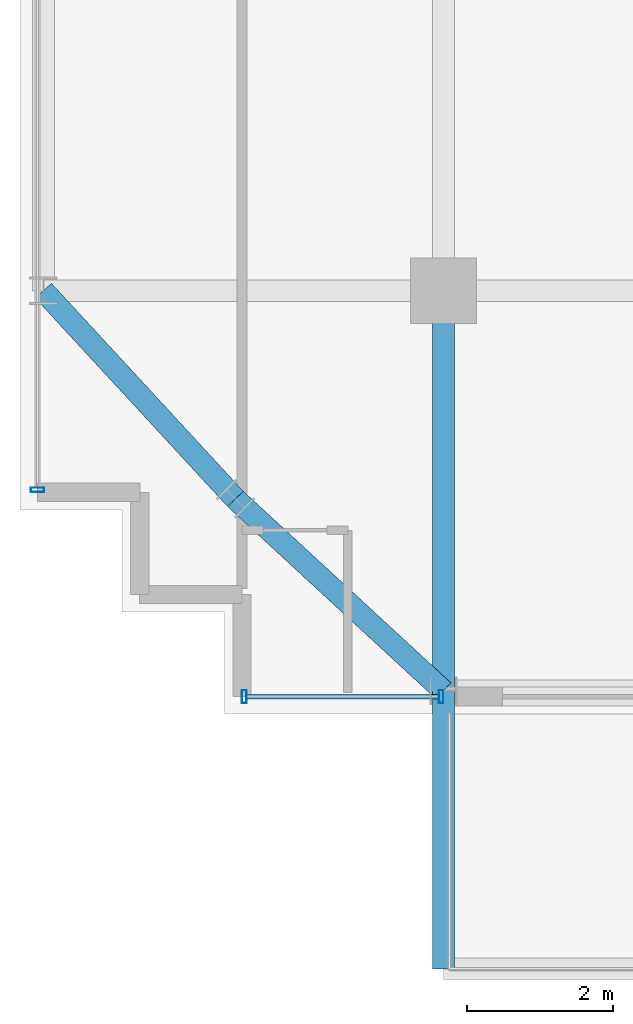
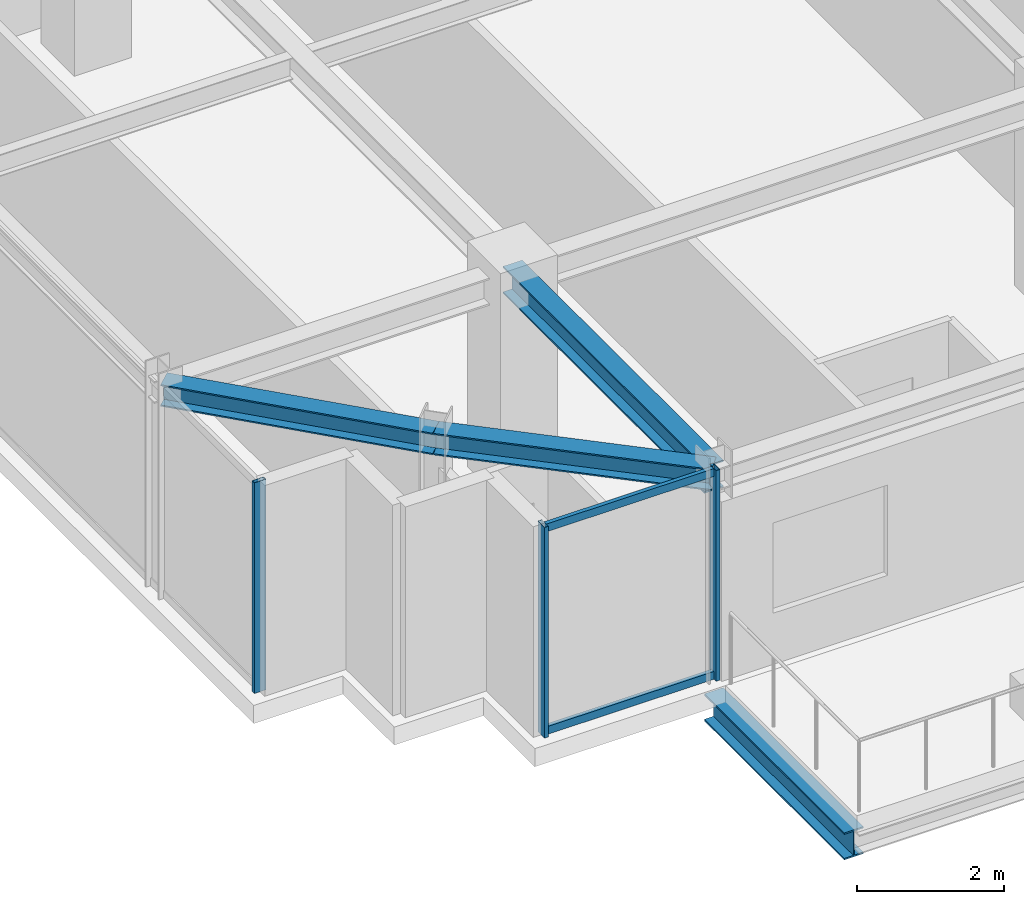
# One storey, part 4 of 33: 5 members, 4 beams, 2 elements without a shape of their own.
"""IFC4 building model written with IfcOpenShell, lengths in metres."""

import ifcopenshell
import ifcopenshell.guid

model = None  # the IFC model being written
_history = None  # IfcOwnerHistory: only IFC2X3 demands one
_inside = {}  # id of a spatial element -> (the spatial element, [elements in it])
_under = {}  # id of a project, library or spatial element -> (it, [spatial elements below it])
_declared = {}  # id of a project -> (the project, [libraries it declares])
_typed = {}  # id of a type object -> (the type object, [elements of that type])
_made_of = {}  # id of a material, layer set ... -> (it, [elements and type objects made of it])


def new_model(schema):
    """Start an empty IFC model of exactly this schema.

    Asked for "IFC4X3", IfcOpenShell would pick the latest addendum, in which some entities
    have other attributes; the version numbers below select the first issue.
    IFC2X3 requires an IfcOwnerHistory on every rooted entity: one is made here for all.
    """
    global model, _history
    if schema == "IFC4X3":
        model = ifcopenshell.file(schema_version=(4, 3, 0, 0))
    else:
        model = ifcopenshell.file(schema=schema)
    _inside.clear()
    _under.clear()
    _declared.clear()
    _typed.clear()
    _made_of.clear()
    _history = None
    if model.schema == "IFC2X3":
        org = make("IfcOrganization", Name="unknown")
        user = make(
            "IfcPersonAndOrganization",
            ThePerson=make("IfcPerson", FamilyName="unknown"),
            TheOrganization=org,
        )
        app = make(
            "IfcApplication",
            ApplicationDeveloper=org,
            Version="unknown",
            ApplicationFullName="unknown",
            ApplicationIdentifier="unknown",
        )
        _history = make(
            "IfcOwnerHistory",
            OwningUser=user,
            OwningApplication=app,
            ChangeAction="ADDED",
            CreationDate=0,
        )
    return model


def make(cls, **values):
    """One entity of the class cls with the attributes given. An attribute that is None is left unset."""
    return model.create_entity(
        cls, **{name: value for name, value in values.items() if value is not None}
    )


def rooted(cls, **values):
    """An entity with a GlobalId (a new one), such as an element, a storey or a relation."""
    return make(cls, GlobalId=ifcopenshell.guid.new(), OwnerHistory=_history, **values)


def si_unit(unit_type, name, prefix=None):
    """IfcSIUnit, for example si_unit("LENGTHUNIT", "METRE", prefix="MILLI")."""
    return make("IfcSIUnit", UnitType=unit_type, Prefix=prefix, Name=name)


def assignment(units):
    """IfcUnitAssignment: the units of a project."""
    return None if units is None else make("IfcUnitAssignment", Units=units)


def point(xyz):
    """IfcCartesianPoint."""
    return None if xyz is None else make("IfcCartesianPoint", Coordinates=xyz)


def direction(xyz):
    """IfcDirection."""
    return None if xyz is None else make("IfcDirection", DirectionRatios=xyz)


def frame(location, z_axis=None, x_axis=None):
    """IfcAxis2Placement3D, a coordinate frame: its origin and axes. An axis left out is left unset."""
    return make(
        "IfcAxis2Placement3D",
        Location=point(location),
        Axis=direction(z_axis),
        RefDirection=direction(x_axis),
    )


def frame_2d(location, x_axis=None):
    """IfcAxis2Placement2D, a coordinate frame in the plane: its origin and x axis."""
    return make(
        "IfcAxis2Placement2D", Location=point(location), RefDirection=direction(x_axis)
    )


def origin():
    """The frame at (0, 0, 0) with its axes left unset."""
    return frame((0.0, 0.0, 0.0))


def origin_2d():
    """The frame at (0, 0) in the plane with its x axis left unset."""
    return frame_2d((0.0, 0.0))


def place(relative_to, where):
    """IfcLocalPlacement: puts the frame where relative to a parent placement (None: the world)."""
    return make(
        "IfcLocalPlacement", PlacementRelTo=relative_to, RelativePlacement=where
    )


def context(
    kind, dimensions, precision=None, world=None, true_north=None, identifier=None
):
    """IfcGeometricRepresentationContext, for example the 3D "Model" context."""
    return make(
        "IfcGeometricRepresentationContext",
        ContextIdentifier=identifier,
        ContextType=kind,
        CoordinateSpaceDimension=dimensions,
        Precision=precision,
        WorldCoordinateSystem=world,
        TrueNorth=true_north,
    )


def subcontext(parent, identifier, kind, view, scale=None):
    """IfcGeometricRepresentationSubContext, for example "Body" below "Model"."""
    return make(
        "IfcGeometricRepresentationSubContext",
        ContextIdentifier=identifier,
        ContextType=kind,
        ParentContext=parent,
        TargetScale=scale,
        TargetView=view,
    )


def project(units=None, contexts=None):
    """IfcProject with its units and contexts."""
    return rooted(
        "IfcProject",
        Name="project",
        RepresentationContexts=contexts,
        UnitsInContext=assignment(units),
    )


def spatial(cls, under=None, at=None, **own):
    """A site, building, storey or space (cls), placed at a placement, below another one or the project."""
    s = rooted(cls, ObjectPlacement=at, **own)
    if under is not None:
        _under.setdefault(under.id(), (under, []))[1].append(s)
    return s


def profile(cls, at=None, kind="AREA", **sizes):
    """A parametric profile (cls). Its sizes go by their IFC names, for example OverallWidth=200.0."""
    return make(cls, ProfileType=kind, Position=at, **sizes)


def hollow_rectangle(**sizes):
    """IfcRectangleHollowProfileDef."""
    return profile("IfcRectangleHollowProfileDef", **sizes)


def i_section(**sizes):
    """IfcIShapeProfileDef."""
    return profile("IfcIShapeProfileDef", **sizes)


def extrude(swept, where, along, depth):
    """IfcExtrudedAreaSolid: the profile swept, set in the frame where, extruded along a direction by depth."""
    return make(
        "IfcExtrudedAreaSolid",
        SweptArea=swept,
        Position=where,
        ExtrudedDirection=direction(along),
        Depth=depth,
    )


def shape(context_of_items, identifier, shape_type, items):
    """IfcShapeRepresentation: the items that make up one representation, for example the "Body"."""
    return make(
        "IfcShapeRepresentation",
        ContextOfItems=context_of_items,
        RepresentationIdentifier=identifier,
        RepresentationType=shape_type,
        Items=items,
    )


def source(mapping_origin, context_of_items, identifier, shape_type, items):
    """IfcRepresentationMap: a shape defined once, which mapped items show again and again."""
    return make(
        "IfcRepresentationMap",
        MappingOrigin=mapping_origin,
        MappedRepresentation=shape(context_of_items, identifier, shape_type, items),
    )


def transform(
    local_origin,
    x_axis=None,
    y_axis=None,
    z_axis=None,
    scale=None,
    scale2=None,
    scale3=None,
    uniform=True,
):
    """IfcCartesianTransformationOperator3D, or its non-uniform kind. x_axis, y_axis, z_axis: its Axis1, 2, 3."""
    if uniform:
        return make(
            "IfcCartesianTransformationOperator3D",
            Axis1=direction(x_axis),
            Axis2=direction(y_axis),
            LocalOrigin=point(local_origin),
            Scale=scale,
            Axis3=direction(z_axis),
        )
    return make(
        "IfcCartesianTransformationOperator3DnonUniform",
        Axis1=direction(x_axis),
        Axis2=direction(y_axis),
        LocalOrigin=point(local_origin),
        Scale=scale,
        Axis3=direction(z_axis),
        Scale2=scale2,
        Scale3=scale3,
    )


def mapped(mapping_source, mapping_target):
    """IfcMappedItem: shows the shape of a source again, moved by a transform."""
    return make(
        "IfcMappedItem", MappingSource=mapping_source, MappingTarget=mapping_target
    )


def material(Name=None, Category=None):
    """IfcMaterial."""
    return make("IfcMaterial", Name=Name, Category=Category)


def material_profile(
    of_material, cross_section, Name=None, Category=None, Priority=None
):
    """IfcMaterialProfile: a cross section and its material."""
    return make(
        "IfcMaterialProfile",
        Name=Name,
        Material=of_material,
        Profile=cross_section,
        Priority=Priority,
        Category=Category,
    )


def profile_set(profiles, Name=None, composite=None):
    """IfcMaterialProfileSet."""
    return make(
        "IfcMaterialProfileSet",
        Name=Name,
        MaterialProfiles=profiles,
        CompositeProfile=composite,
    )


def made_of(thing, what):
    """Note that an element or type object is made of a material, layer set ...; save() writes the relation."""
    if what is not None:
        _made_of.setdefault(what.id(), (what, []))[1].append(thing)
    return thing


def type_object(cls, material=None, **own):
    """A type object (cls), such as IfcWallType, which elements share."""
    return made_of(rooted(cls, **own), material)


def element(
    cls,
    number,
    at=None,
    inside=None,
    cuts=None,
    type_object=None,
    material=None,
    context=None,
    identifier="Body",
    shape_type=None,
    held_by="IfcProductDefinitionShape",
    body=None,
    shapes=None,
    **own,
):
    """One element of the class cls, such as IfcWall. Its Tag is "e" and its number.

    at: its placement. inside: the storey or other place that contains it. cuts: it is an
    opening in that element (IfcRelVoidsElement). A single representation is given by context,
    identifier, shape_type and body (its items); several are given by shapes. held_by: the class
    of the entity that holds the representations. save() writes the other relations.
    """
    e = rooted(cls, Tag="e%d" % number, ObjectPlacement=at, **own)
    if body is not None:
        shapes = [shape(context, identifier, shape_type, body)]
    if shapes is not None:
        e.Representation = make(held_by, Representations=shapes)
    if inside is not None:
        _inside.setdefault(inside.id(), (inside, []))[1].append(e)
    if cuts is not None:
        rooted(
            "IfcRelVoidsElement", RelatingBuildingElement=cuts, RelatedOpeningElement=e
        )
    if type_object is not None:
        _typed.setdefault(type_object.id(), (type_object, []))[1].append(e)
    return made_of(e, material)


def aggregate(whole, parts):
    """IfcRelAggregates: a whole, such as a stair, and the parts it consists of."""
    return rooted("IfcRelAggregates", RelatingObject=whole, RelatedObjects=parts)


def save(model, path):
    """Write the relations noted so far, then the file.

    IfcRelAggregates (storeys below a building ...), IfcRelContainedInSpatialStructure (elements
    in a storey), IfcRelDefinesByType, IfcRelAssociatesMaterial and IfcRelDeclares: one each for
    every whole, place, type object, material and project.
    """
    for whole, parts in _under.values():
        aggregate(whole, parts)
    for where, things in _inside.values():
        rooted(
            "IfcRelContainedInSpatialStructure",
            RelatedElements=things,
            RelatingStructure=where,
        )
    for kind, things in _typed.values():
        rooted("IfcRelDefinesByType", RelatedObjects=things, RelatingType=kind)
    for what, things in _made_of.values():
        rooted("IfcRelAssociatesMaterial", RelatedObjects=things, RelatingMaterial=what)
    for by, libraries in _declared.values():
        rooted("IfcRelDeclares", RelatingContext=by, RelatedDefinitions=libraries)
    model.write(path)


model = new_model("IFC4")

# Units and contexts
model_context = context("Model", 3, precision=1e-05, world=origin(), true_north=direction((0.0, 1.0)))
body_context = subcontext(model_context, "Body", "Model", "MODEL_VIEW")
ifc_project = project(units=[si_unit("LENGTHUNIT", "METRE"), si_unit("AREAUNIT", "SQUARE_METRE"), si_unit("VOLUMEUNIT", "CUBIC_METRE"), si_unit("PLANEANGLEUNIT", "RADIAN"), si_unit("MASSUNIT", "GRAM", prefix="KILO")], contexts=[model_context])

# Site, building, storey
site_placement = place(None, origin())
site = spatial("IfcSite", under=ifc_project, at=site_placement, CompositionType="ELEMENT")
building_placement = place(site_placement, origin())
building = spatial("IfcBuilding", under=site, at=building_placement, Name="Nahalor Promenade Grand Hotel", CompositionType="ELEMENT")
storey_placement = place(building_placement, frame((0.0, 0.0, 315.75)))
storey = spatial("IfcBuildingStorey", under=building, at=storey_placement, Name="L81", CompositionType="ELEMENT", Elevation=315.75)

# Beams
ifc_material_1 = material(Name="Steel S355JR", Category="steel")
ifc_material_profile_1 = material_profile(ifc_material_1, i_section(OverallWidth=0.3, OverallDepth=0.45, WebThickness=0.014, FlangeThickness=0.026, at=origin_2d()), Name="HEB 450")
ifc_profile_set_1 = profile_set([ifc_material_profile_1], Name="Steel S355JR")
beam_type_1 = type_object("IfcBeamType", Name="Beam-Outrigger-HEB450", PredefinedType="BEAM", material=ifc_profile_set_1)
shared_shape_1 = source(origin(), body_context, "Body", "SweptSolid", [
    extrude(i_section(OverallWidth=0.3, OverallDepth=0.45, WebThickness=0.014, FlangeThickness=0.026, at=origin_2d()), origin(), (0.0, 0.0, 1.0), 3.81005859375),
])
beam_1_placement = place(storey_placement, frame((-17.0, -26.2900390625, -0.5048828125), z_axis=(0.0, 1.0, 0.0), x_axis=(-1.0, 0.0, 0.0)))
element("IfcBeam", 1, at=beam_1_placement, inside=storey, type_object=beam_type_1, Name="BM-L81-BC-01-1", PredefinedType="BEAM", context=body_context, shape_type="MappedRepresentation", body=[
    mapped(shared_shape_1, transform((0.0, 0.0, 0.0), scale=1.0)),
])
ifc_material_profile_2 = material_profile(ifc_material_1, i_section(OverallWidth=0.3, OverallDepth=0.45, WebThickness=0.014, FlangeThickness=0.026, at=origin_2d()), Name="HEB 450")
ifc_profile_set_2 = profile_set([ifc_material_profile_2], Name="Steel S355JR")
beam_type_2 = type_object("IfcBeamType", Name="Beam-Girder-HEB450", PredefinedType="BEAM", material=ifc_profile_set_2)
shared_shape_2 = source(origin(), body_context, "Body", "SweptSolid", [
    extrude(i_section(OverallWidth=0.3, OverallDepth=0.45, WebThickness=0.014, FlangeThickness=0.026, at=origin_2d()), origin(), (0.0, 0.0, 1.0), 5.47998046875),
])
beam_2_placement = place(storey_placement, frame((-17.0, -22.47998046875, 3.27490234375), z_axis=(0.0, 1.0, 0.0), x_axis=(-1.0, 0.0, 0.0)))
element("IfcBeam", 2, at=beam_2_placement, inside=storey, type_object=beam_type_2, Name="BM-L81-GY-0-0", PredefinedType="BEAM", context=body_context, shape_type="MappedRepresentation", body=[
    mapped(shared_shape_2, transform((0.0, 0.0, 0.0), scale=1.0)),
])
ifc_material_profile_3 = material_profile(ifc_material_1, i_section(OverallWidth=0.3, OverallDepth=0.36, WebThickness=0.0125, FlangeThickness=0.0225, at=origin_2d()), Name="HEB 360")
ifc_profile_set_3 = profile_set([ifc_material_profile_3], Name="Steel S355JR")
beam_type_3 = type_object("IfcBeamType", Name="Beam-Spandrel-HEB360", PredefinedType="SPANDREL", material=ifc_profile_set_3)
shared_shape_3 = source(origin(), body_context, "Body", "SweptSolid", [
    extrude(i_section(OverallWidth=0.3, OverallDepth=0.36, WebThickness=0.0125, FlangeThickness=0.0225, at=origin_2d()), origin(), (0.0, 0.0, 1.0), 3.878173828125),
])
for number, where, z_axis, x_axis, name in (
    (3, (-17.0, -22.47998046875, 3.320068359375), (-0.73492893846, 0.678144125843, 0.0), (-0.678144125843, -0.73492893846, 0.0), "BM-L81-SPC-SW-1"),
    (4, (-19.85009765625, -19.85009765625, 3.320068359375), (-0.678144125843, 0.73492893846, 0.0), (-0.73492893846, -0.678144125843, 0.0), "BM-L81-SPC-SW-2"),
):
    element("IfcBeam", number, at=place(storey_placement, frame(where, z_axis=z_axis, x_axis=x_axis)), inside=storey, type_object=beam_type_3, Name=name, PredefinedType="SPANDREL", context=body_context, shape_type="MappedRepresentation", body=[
        mapped(shared_shape_3, transform((0.0, 0.0, 0.0), scale=1.0)),
    ])

# Curtain wall, members
ifc_material_2 = material(Name="Anodised Bronze Aluminium EN AW-6063 T6", Category="aluminium")
curtain_wall_type = type_object("IfcCurtainWallType", Name="CW2 Typical Hotel Flush Bronze Unitised Curtain Wall", PredefinedType="USERDEFINED", material=ifc_material_2)
curtain_wall_1_placement = place(storey_placement, origin())
curtain_wall_1 = element("IfcCurtainWall", 5, at=curtain_wall_1_placement, inside=storey, type_object=curtain_wall_type, Name="L81 Curtain Wall CW-L81-S-1", ObjectType="UNITISED_CURTAIN_WALL", PredefinedType="USERDEFINED")
ifc_material_profile_4 = material_profile(ifc_material_2, hollow_rectangle(XDim=0.065, YDim=0.13, WallThickness=0.004, at=origin_2d()), Name="CWT 65x130x4")
ifc_profile_set_4 = profile_set([ifc_material_profile_4], Name="Anodised Bronze Aluminium EN AW-6063 T6")
member_type_1 = type_object("IfcMemberType", Name="CWT2 Typical Bronze Transom 65x130", PredefinedType="USERDEFINED", material=ifc_profile_set_4)
shared_shape_4 = source(origin(), body_context, "Body", "SweptSolid", [
    extrude(hollow_rectangle(XDim=0.065, YDim=0.13, WallThickness=0.004, at=origin_2d()), origin(), (0.0, 0.0, 1.0), 2.630126953125),
])
member_1_placement = place(storey_placement, frame((-19.695068359375, -22.56005859375, 0.06494140625), z_axis=(1.0, 0.0, 0.0), x_axis=(0.0, 1.0, 0.0)))
member_1 = element("IfcMember", 6, at=member_1_placement, type_object=member_type_1, Name="CW-L81-S-1 Transom 0-0", ObjectType="TRANSOM", PredefinedType="USERDEFINED", context=body_context, shape_type="MappedRepresentation", body=[
    mapped(shared_shape_4, transform((0.0, 0.0, 0.0), scale=1.0)),
])
member_2_placement = place(storey_placement, frame((-19.695068359375, -22.56005859375, 3.43505859375), z_axis=(1.0, 0.0, 0.0), x_axis=(0.0, 1.0, 0.0)))
member_2 = element("IfcMember", 7, at=member_2_placement, type_object=member_type_1, Name="CW-L81-S-1 Transom 0-1", ObjectType="TRANSOM", PredefinedType="USERDEFINED", context=body_context, shape_type="MappedRepresentation", body=[
    mapped(shared_shape_4, transform((0.0, 0.0, 0.0), scale=1.0)),
])
ifc_material_profile_5 = material_profile(ifc_material_2, hollow_rectangle(XDim=0.065, YDim=0.18, WallThickness=0.004, at=origin_2d()), Name="CWM 65x180x4")
ifc_profile_set_5 = profile_set([ifc_material_profile_5], Name="Anodised Bronze Aluminium EN AW-6063 T6")
member_type_2 = type_object("IfcMemberType", Name="CWM2 Typical Bronze Mullion 65x180", PredefinedType="MULLION", material=ifc_profile_set_5)
shared_shape_5 = source(origin(), body_context, "Body", "SweptSolid", [
    extrude(hollow_rectangle(XDim=0.065, YDim=0.18, WallThickness=0.004, at=origin_2d()), origin(), (0.0, 0.0, 1.0), 3.5),
])
member_3_placement = place(storey_placement, frame((-19.7275390625, -22.56005859375, 0.0), z_axis=(0.0, 0.0, 1.0), x_axis=(1.0, 0.0, 0.0)))
member_3 = element("IfcMember", 8, at=member_3_placement, type_object=member_type_2, Name="CW-L81-S-1 Mullion 0", PredefinedType="MULLION", context=body_context, shape_type="MappedRepresentation", body=[
    mapped(shared_shape_5, transform((0.0, 0.0, 0.0), scale=1.0)),
])
member_4_placement = place(storey_placement, frame((-17.032470703125, -22.56005859375, 0.0), z_axis=(0.0, 0.0, 1.0), x_axis=(1.0, 0.0, 0.0)))
member_4 = element("IfcMember", 9, at=member_4_placement, type_object=member_type_2, Name="CW-L81-S-1 Mullion 1", PredefinedType="MULLION", context=body_context, shape_type="MappedRepresentation", body=[
    mapped(shared_shape_5, transform((0.0, 0.0, 0.0), scale=1.0)),
])
aggregate(curtain_wall_1, [member_3, member_4, member_1, member_2])

# Curtain wall, member
curtain_wall_2_placement = place(storey_placement, origin())
curtain_wall_2 = element("IfcCurtainWall", 10, at=curtain_wall_2_placement, inside=storey, type_object=curtain_wall_type, Name="L81 Curtain Wall CW-L81-W-1", ObjectType="UNITISED_CURTAIN_WALL", PredefinedType="USERDEFINED")
member_5_placement = place(storey_placement, frame((-22.56005859375, -19.7275390625, 0.0), z_axis=(0.0, 0.0, 1.0), x_axis=(0.0, 1.0, 0.0)))
member_5 = element("IfcMember", 11, at=member_5_placement, type_object=member_type_2, Name="CW-L81-W-1 Mullion 0", PredefinedType="MULLION", context=body_context, shape_type="MappedRepresentation", body=[
    mapped(shared_shape_5, transform((0.0, 0.0, 0.0), scale=1.0)),
])
aggregate(curtain_wall_2, [member_5])

save(model, "model.ifc")
